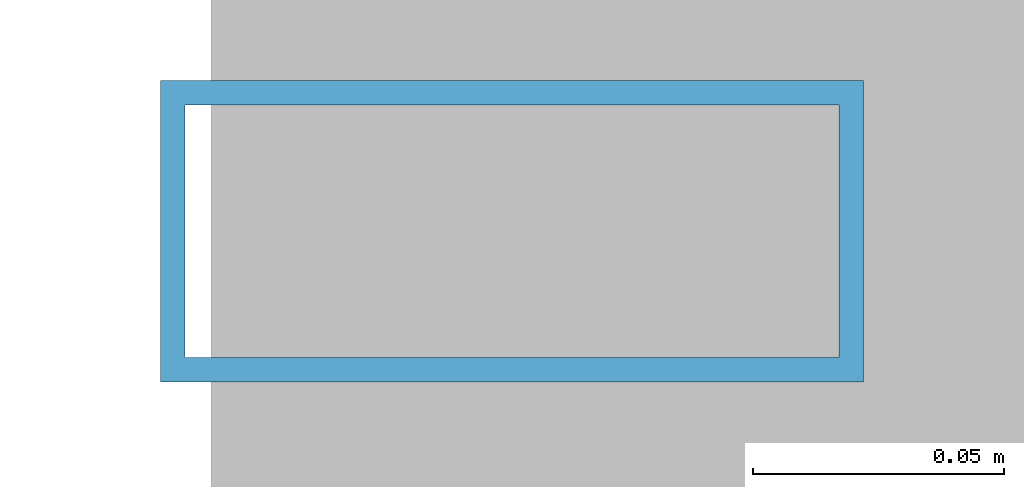
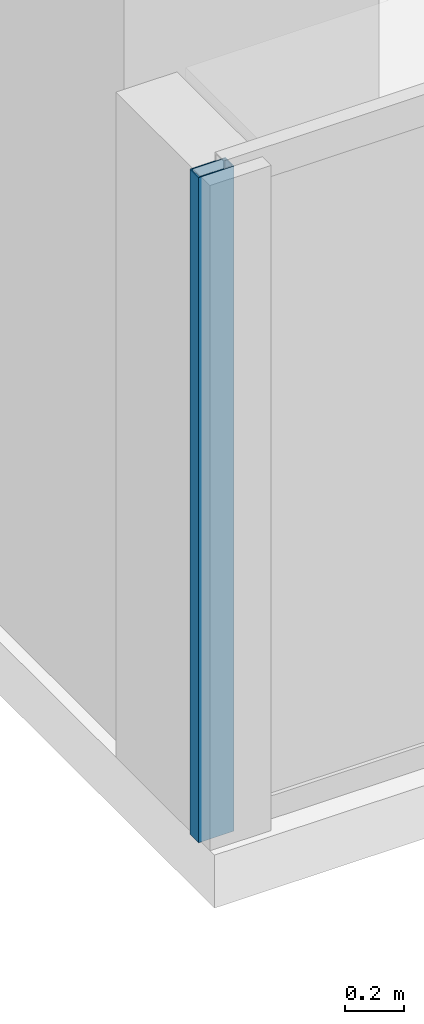
# One storey, part 6 of 29: 1 member, 1 element without a shape of its own.
"""IFC4 building model written with IfcOpenShell, lengths in metres."""

from ifc_helpers import new_model, si_unit, direction, frame, origin, origin_2d, place, context, subcontext, project, spatial, hollow_rectangle, extrude, source, transform, mapped, material, layer, layer_set, material_profile, profile_set, type_object, element, aggregate, save


model = new_model("IFC4")

# Units and contexts
model_context = context("Model", 3, precision=1e-05, world=origin(), true_north=direction((0.0, 1.0)))
body_context = subcontext(model_context, "Body", "Model", "MODEL_VIEW")
ifc_project = project(units=[si_unit("LENGTHUNIT", "METRE"), si_unit("AREAUNIT", "SQUARE_METRE"), si_unit("VOLUMEUNIT", "CUBIC_METRE"), si_unit("PLANEANGLEUNIT", "RADIAN"), si_unit("MASSUNIT", "GRAM", prefix="KILO")], contexts=[model_context])

# Site, building, storey
site_placement = place(None, origin())
site = spatial("IfcSite", under=ifc_project, at=site_placement, CompositionType="ELEMENT")
building_placement = place(site_placement, origin())
building = spatial("IfcBuilding", under=site, at=building_placement, Name="Sumidabori Civic Tower", CompositionType="ELEMENT")
storey_placement = place(building_placement, frame((0.0, 0.0, 214.39990234375)))
storey = spatial("IfcBuildingStorey", under=building, at=storey_placement, Name="L55", CompositionType="ELEMENT", Elevation=214.39990234375)

# Curtain wall, member
ifc_material = material(Name="Anodised Bronze Aluminium AW-6063-T6", Category="aluminium")
ifc_layer = layer(ifc_material, 0.179931640625, Name="Anodised Bronze Aluminium AW-6063-T6")
ifc_layer_set = layer_set([ifc_layer], Name="Anodised Bronze Aluminium AW-6063-T6")
curtain_wall_type = type_object("IfcCurtainWallType", Name="CW-SYS-5", PredefinedType="NOTDEFINED", material=ifc_layer_set)
curtain_wall_placement = place(storey_placement, origin())
curtain_wall = element("IfcCurtainWall", 1, at=curtain_wall_placement, inside=storey, type_object=curtain_wall_type, Name="Curtain Wall CW:L55:R09", PredefinedType="NOTDEFINED")
ifc_material_profile = material_profile(ifc_material, hollow_rectangle(XDim=0.06005859375, YDim=0.139892578125, WallThickness=0.0048828125, at=origin_2d()), Name="ALU MULLION 140x60")
ifc_profile_set = profile_set([ifc_material_profile], Name="Anodised Bronze Aluminium AW-6063-T6")
member_type = type_object("IfcMemberType", Name="CW-MUL-140", PredefinedType="MULLION", material=ifc_profile_set)
shared_shape = source(origin(), body_context, "Body", "SweptSolid", [
    extrude(hollow_rectangle(XDim=0.06005859375, YDim=0.139892578125, WallThickness=0.0048828125, at=origin_2d()), origin(), (0.0, 0.0, 1.0), 2.760009765625),
])
member_placement = place(storey_placement, frame((7.909912109375, -11.8798828125, 0.0), z_axis=(0.0, 0.0, 1.0), x_axis=(0.0, 1.0, 0.0)))
member = element("IfcMember", 2, at=member_placement, type_object=member_type, Name="CW-5 mullion 1", PredefinedType="MULLION", context=body_context, shape_type="MappedRepresentation", body=[
    mapped(shared_shape, transform((0.0, 0.0, 0.0), x_axis=(1.0, 0.0, 0.0), y_axis=(0.0, 1.0, 0.0), z_axis=(0.0, 0.0, 1.0), scale=1.0)),
])
aggregate(curtain_wall, [member])

save(model, "model.ifc")
